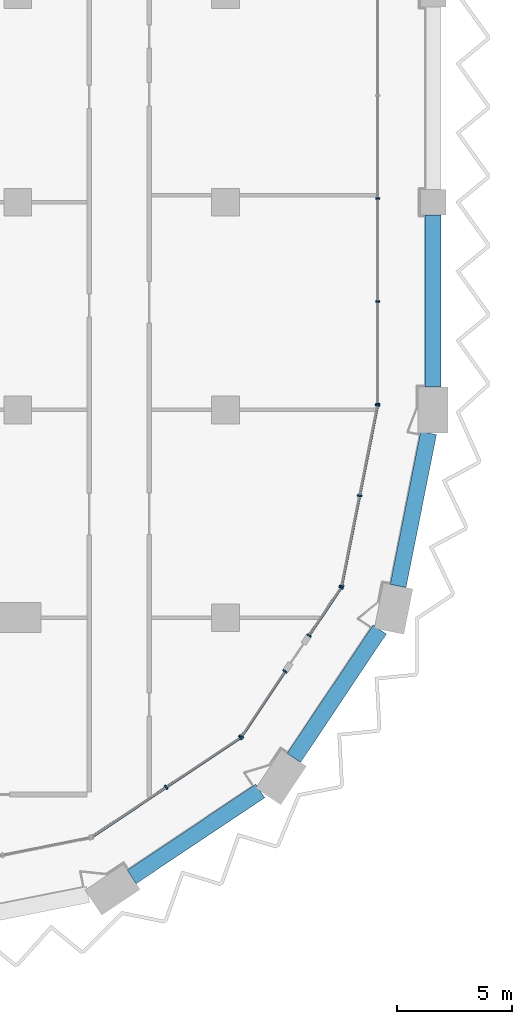
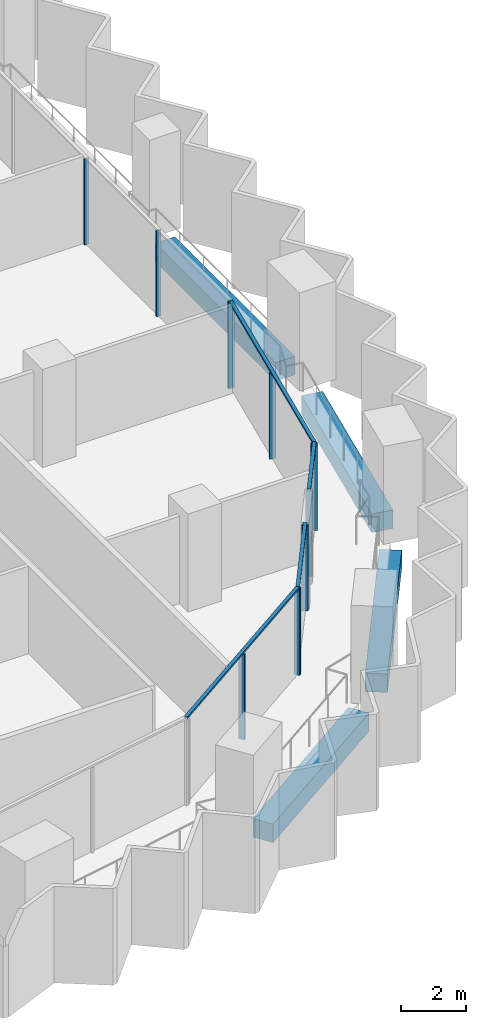
# One storey, part 3 of 23: 16 members, 4 beams, 5 elements without a shape of their own.
"""IFC4 building model written with IfcOpenShell, lengths in metres."""

from ifc_helpers import new_model, si_unit, direction, frame, origin, origin_2d, place, context, subcontext, project, spatial, rectangle, extrude, material, material_profile, profile_set, type_object, element, aggregate, save


model = new_model("IFC4")

# Units and contexts
model_context = context("Model", 3, precision=1e-05, world=origin(), true_north=direction((0.0, 1.0)))
body_context = subcontext(model_context, "Body", "Model", "MODEL_VIEW")
ifc_project = project(units=[si_unit("LENGTHUNIT", "METRE"), si_unit("AREAUNIT", "SQUARE_METRE"), si_unit("VOLUMEUNIT", "CUBIC_METRE"), si_unit("PLANEANGLEUNIT", "RADIAN"), si_unit("MASSUNIT", "GRAM", prefix="KILO")], contexts=[model_context])

# Site, building, storey
site_placement = place(None, origin())
site = spatial("IfcSite", under=ifc_project, at=site_placement, CompositionType="ELEMENT")
building_placement = place(site_placement, origin())
building = spatial("IfcBuilding", under=site, at=building_placement, Name="Hunhe Ridgeline Campus", CompositionType="ELEMENT")
storey_placement = place(building_placement, frame((0.0, 0.0, 152.300048828125)))
storey = spatial("IfcBuildingStorey", under=building, at=storey_placement, Name="L38", CompositionType="ELEMENT", Elevation=152.300048828125)

# Curtain wall, members
ifc_material_1 = material(Name="Aluminium 6063", Category="aluminium")
curtain_wall_type_1 = type_object("IfcCurtainWallType", Name="Curtain wall CW-1", PredefinedType="NOTDEFINED", material=ifc_material_1)
curtain_wall_1_placement = place(storey_placement, origin())
curtain_wall_1 = element("IfcCurtainWall", 1, at=curtain_wall_1_placement, inside=storey, type_object=curtain_wall_type_1, Name="Curtain wall 11", PredefinedType="NOTDEFINED")
ifc_material_profile_1 = material_profile(ifc_material_1, rectangle(XDim=0.159912109375, YDim=0.06005859375, at=origin_2d()))
ifc_profile_set_1 = profile_set([ifc_material_profile_1], Name="Aluminium 6063")
member_type_1 = type_object("IfcMemberType", Name="CW-1 aluminium mullion", PredefinedType="MULLION", material=ifc_profile_set_1)
member_1_placement = place(storey_placement, frame((42.59912109375, 27.266357421875, 0.0), z_axis=(0.0, 0.0, 1.0), x_axis=(-0.99999999999, 4.408911e-06, 0.0)))
member_1 = element("IfcMember", 2, at=member_1_placement, type_object=member_type_1, Name="CW-1 mullion 1", PredefinedType="MULLION", context=body_context, shape_type="SweptSolid", body=[
    extrude(rectangle(XDim=0.159912109375, YDim=0.06005859375, at=origin_2d()), origin(), (0.0, 0.0, 1.0), 3.239990234375),
])
member_2_placement = place(storey_placement, frame((42.59912109375, 31.697021484375, 0.0), z_axis=(0.0, 0.0, 1.0), x_axis=(-0.99999999999, 4.408911e-06, 0.0)))
member_2 = element("IfcMember", 3, at=member_2_placement, type_object=member_type_1, Name="CW-1 mullion 2", PredefinedType="MULLION", context=body_context, shape_type="SweptSolid", body=[
    extrude(rectangle(XDim=0.159912109375, YDim=0.06005859375, at=origin_2d()), origin(), (0.0, 0.0, 1.0), 3.239990234375),
])
member_3_placement = place(storey_placement, frame((42.59912109375, 36.15771484375, 0.0), z_axis=(0.0, 0.0, 1.0), x_axis=(-0.99999999999, 4.408911e-06, 0.0)))
member_3 = element("IfcMember", 4, at=member_3_placement, type_object=member_type_1, Name="CW-1 mullion 3", PredefinedType="MULLION", context=body_context, shape_type="SweptSolid", body=[
    extrude(rectangle(XDim=0.159912109375, YDim=0.06005859375, at=origin_2d()), origin(), (0.0, 0.0, 1.0), 3.239990234375),
])
aggregate(curtain_wall_1, [member_1, member_2, member_3])

curtain_wall_type_2 = type_object("IfcCurtainWallType", Name="Curtain wall CW-5", PredefinedType="NOTDEFINED", material=ifc_material_1)
curtain_wall_2_placement = place(storey_placement, origin())
curtain_wall_2 = element("IfcCurtainWall", 5, at=curtain_wall_2_placement, inside=storey, type_object=curtain_wall_type_2, Name="Curtain wall 07", PredefinedType="NOTDEFINED")
ifc_material_profile_2 = material_profile(ifc_material_1, rectangle(XDim=0.199951171875, YDim=0.070068359375, at=origin_2d()))
ifc_profile_set_2 = profile_set([ifc_material_profile_2], Name="Aluminium 6063")
member_type_2 = type_object("IfcMemberType", Name="CW-5 aluminium mullion", PredefinedType="MULLION", material=ifc_profile_set_2)
member_4_placement = place(storey_placement, frame((33.42626953125, 10.647705078125, 0.0), z_axis=(0.0, 0.0, 1.0), x_axis=(-0.555570274596, 0.831469584522, 0.0)))
member_4 = element("IfcMember", 6, at=member_4_placement, type_object=member_type_2, Name="CW-5 mullion 2", PredefinedType="MULLION", context=body_context, shape_type="SweptSolid", body=[
    extrude(rectangle(XDim=0.199951171875, YDim=0.070068359375, at=origin_2d()), origin(), (0.0, 0.0, 1.0), 3.22998046875),
])
member_5_placement = place(storey_placement, frame((36.649658203125, 12.8017578125, 0.0), z_axis=(0.0, 0.0, 1.0), x_axis=(-0.555570274596, 0.831469584522, 0.0)))
member_5 = element("IfcMember", 7, at=member_5_placement, type_object=member_type_2, Name="CW-5 mullion 3", PredefinedType="MULLION", context=body_context, shape_type="SweptSolid", body=[
    extrude(rectangle(XDim=0.199951171875, YDim=0.070068359375, at=origin_2d()), origin(), (0.0, 0.0, 1.0), 3.22998046875),
])

curtain_wall_3_placement = place(storey_placement, origin())
curtain_wall_3 = element("IfcCurtainWall", 8, at=curtain_wall_3_placement, inside=storey, type_object=curtain_wall_type_2, Name="Curtain wall 08", PredefinedType="NOTDEFINED")
member_6_placement = place(storey_placement, frame((36.6982421875, 12.850341796875, 0.0), z_axis=(0.0, 0.0, 1.0), x_axis=(-0.831469595944, 0.555570257501, 0.0)))
member_6 = element("IfcMember", 9, at=member_6_placement, type_object=member_type_2, Name="CW-5 mullion 1", PredefinedType="MULLION", context=body_context, shape_type="SweptSolid", body=[
    extrude(rectangle(XDim=0.199951171875, YDim=0.070068359375, at=origin_2d()), origin(), (0.0, 0.0, 1.0), 3.22998046875),
])
member_7_placement = place(storey_placement, frame((38.582763671875, 15.67041015625, 0.0), z_axis=(0.0, 0.0, 1.0), x_axis=(-0.831469595944, 0.555570257501, 0.0)))
member_7 = element("IfcMember", 10, at=member_7_placement, type_object=member_type_2, Name="CW-5 mullion 2", PredefinedType="MULLION", context=body_context, shape_type="SweptSolid", body=[
    extrude(rectangle(XDim=0.199951171875, YDim=0.070068359375, at=origin_2d()), origin(), (0.0, 0.0, 1.0), 3.22998046875),
])

curtain_wall_4_placement = place(storey_placement, origin())
curtain_wall_4 = element("IfcCurtainWall", 11, at=curtain_wall_4_placement, inside=storey, type_object=curtain_wall_type_2, Name="Curtain wall 09", PredefinedType="NOTDEFINED")
member_8_placement = place(storey_placement, frame((39.62158203125, 17.225341796875, 0.0), z_axis=(0.0, 0.0, 1.0), x_axis=(-0.831469510353, 0.555570385598, 0.0)))
member_8 = element("IfcMember", 12, at=member_8_placement, type_object=member_type_2, Name="CW-5 mullion 1", PredefinedType="MULLION", context=body_context, shape_type="SweptSolid", body=[
    extrude(rectangle(XDim=0.199951171875, YDim=0.070068359375, at=origin_2d()), origin(), (0.0, 0.0, 1.0), 3.22998046875),
])
member_9_placement = place(storey_placement, frame((41.006103515625, 19.29736328125, 0.0), z_axis=(0.0, 0.0, 1.0), x_axis=(-0.831469510353, 0.555570385598, 0.0)))
member_9 = element("IfcMember", 13, at=member_9_placement, type_object=member_type_2, Name="CW-5 mullion 2", PredefinedType="MULLION", context=body_context, shape_type="SweptSolid", body=[
    extrude(rectangle(XDim=0.199951171875, YDim=0.070068359375, at=origin_2d()), origin(), (0.0, 0.0, 1.0), 3.22998046875),
])

curtain_wall_5_placement = place(storey_placement, origin())
curtain_wall_5 = element("IfcCurtainWall", 14, at=curtain_wall_5_placement, inside=storey, type_object=curtain_wall_type_2, Name="Curtain wall 10", PredefinedType="NOTDEFINED")
member_10_placement = place(storey_placement, frame((41.032470703125, 19.36083984375, 0.0), z_axis=(0.0, 0.0, 1.0), x_axis=(-0.980785284939, 0.195090299215, 0.0)))
member_10 = element("IfcMember", 15, at=member_10_placement, type_object=member_type_2, Name="CW-5 mullion 1", PredefinedType="MULLION", context=body_context, shape_type="SweptSolid", body=[
    extrude(rectangle(XDim=0.199951171875, YDim=0.070068359375, at=origin_2d()), origin(), (0.0, 0.0, 1.0), 3.22998046875),
])
member_11_placement = place(storey_placement, frame((41.812255859375, 23.281494140625, 0.0), z_axis=(0.0, 0.0, 1.0), x_axis=(-0.980785284939, 0.195090299215, 0.0)))
member_11 = element("IfcMember", 16, at=member_11_placement, type_object=member_type_2, Name="CW-5 mullion 2", PredefinedType="MULLION", context=body_context, shape_type="SweptSolid", body=[
    extrude(rectangle(XDim=0.199951171875, YDim=0.070068359375, at=origin_2d()), origin(), (0.0, 0.0, 1.0), 3.22998046875),
])
member_12_placement = place(storey_placement, frame((42.59228515625, 27.2021484375, 0.0), z_axis=(0.0, 0.0, 1.0), x_axis=(-0.980785284939, 0.195090299215, 0.0)))
member_12 = element("IfcMember", 17, at=member_12_placement, type_object=member_type_2, Name="CW-5 mullion 3", PredefinedType="MULLION", context=body_context, shape_type="SweptSolid", body=[
    extrude(rectangle(XDim=0.199951171875, YDim=0.070068359375, at=origin_2d()), origin(), (0.0, 0.0, 1.0), 3.22998046875),
])

# Member
ifc_material_profile_3 = material_profile(ifc_material_1, rectangle(XDim=0.1201171875, YDim=0.070068359375, at=origin_2d()))
ifc_profile_set_3 = profile_set([ifc_material_profile_3], Name="Aluminium 6063")
member_type_3 = type_object("IfcMemberType", Name="CW-5 aluminium transom", PredefinedType="USERDEFINED", material=ifc_profile_set_3)
member_13_placement = place(storey_placement, frame((30.173583984375, 8.474365234375, 3.264892578125), z_axis=(0.831473763475, 0.5555640203, 0.0), x_axis=(-0.5555640203, 0.831473763475, 0.0)))
member_13 = element("IfcMember", 18, at=member_13_placement, type_object=member_type_3, Name="CW-5 transom 1", ObjectType="TRANSOM", PredefinedType="USERDEFINED", context=body_context, shape_type="SweptSolid", body=[
    extrude(rectangle(XDim=0.1201171875, YDim=0.070068359375, at=origin_2d()), origin(), (0.0, 0.0, 1.0), 7.823974609375),
])

aggregate(curtain_wall_2, [member_13, member_4, member_5])

member_14_placement = place(storey_placement, frame((36.678955078125, 12.821044921875, 3.264892578125), z_axis=(0.555546133463, 0.831485714606, 0.0), x_axis=(-0.831485714606, 0.555546133463, 0.0)))
member_14 = element("IfcMember", 19, at=member_14_placement, type_object=member_type_3, Name="CW-5 transom 1", ObjectType="TRANSOM", PredefinedType="USERDEFINED", context=body_context, shape_type="SweptSolid", body=[
    extrude(rectangle(XDim=0.1201171875, YDim=0.070068359375, at=origin_2d()), origin(), (0.0, 0.0, 1.0), 3.462158203125),
])

aggregate(curtain_wall_3, [member_14, member_6, member_7])

member_15_placement = place(storey_placement, frame((39.602294921875, 17.1962890625, 3.264892578125), z_axis=(0.555579547735, 0.831463388334, 0.0), x_axis=(-0.831463388334, 0.555579547735, 0.0)))
member_15 = element("IfcMember", 20, at=member_15_placement, type_object=member_type_3, Name="CW-5 transom 1", ObjectType="TRANSOM", PredefinedType="USERDEFINED", context=body_context, shape_type="SweptSolid", body=[
    extrude(rectangle(XDim=0.1201171875, YDim=0.070068359375, at=origin_2d()), origin(), (0.0, 0.0, 1.0), 2.56201171875),
])

aggregate(curtain_wall_4, [member_15, member_8, member_9])

member_16_placement = place(storey_placement, frame((41.025634765625, 19.326416015625, 3.264892578125), z_axis=(0.195097290093, 0.980783894341, 0.0), x_axis=(-0.980783894341, 0.195097290093, 0.0)))
member_16 = element("IfcMember", 21, at=member_16_placement, type_object=member_type_3, Name="CW-5 transom 1", ObjectType="TRANSOM", PredefinedType="USERDEFINED", context=body_context, shape_type="SweptSolid", body=[
    extrude(rectangle(XDim=0.1201171875, YDim=0.070068359375, at=origin_2d()), origin(), (0.0, 0.0, 1.0), 8.065185546875),
])

aggregate(curtain_wall_5, [member_16, member_10, member_11, member_12])

# Beams
ifc_material_2 = material(Name="Concrete C60", Category="concrete")
ifc_material_profile_4 = material_profile(ifc_material_2, rectangle(XDim=0.699951171875, YDim=0.699951171875, at=origin_2d()))
ifc_profile_set_4 = profile_set([ifc_material_profile_4], Name="Concrete C60")
beam_type = type_object("IfcBeamType", Name="RC spandrel beam 700x700 Concrete C60", PredefinedType="SPANDREL", material=ifc_profile_set_4)
for number, where, z_axis, x_axis, name in (
    (22, (31.94189453125, 6.768310546875, -0.60009765625), (0.831472141711, 0.555566447474, 0.0), (-0.555566447474, 0.831472141711, 0.0), "Spandrel beam B2-6 L38"),
    (23, (38.965576171875, 11.921630859375, -0.60009765625), (0.555566447474, 0.831472141711, 0.0), (-0.831472141711, 0.555566447474, 0.0), "Spandrel beam B2-7 L38"),
):
    element("IfcBeam", number, at=place(storey_placement, frame(where, z_axis=z_axis, x_axis=x_axis)), inside=storey, type_object=beam_type, Name=name, PredefinedType="SPANDREL", context=body_context, shape_type="SweptSolid", body=[
        extrude(rectangle(XDim=0.699951171875, YDim=0.699951171875, at=origin_2d()), origin(), (0.0, 0.0, 1.0), 6.69677734375),
    ])
beam_1_placement = place(storey_placement, frame((43.482421875, 19.370361328125, -0.60009765625), z_axis=(0.195074154586, 0.980788496166, 0.0), x_axis=(-0.980788496166, 0.195074154586, 0.0)))
element("IfcBeam", 24, at=beam_1_placement, inside=storey, type_object=beam_type, Name="Spandrel beam B2-8 L38", PredefinedType="SPANDREL", context=body_context, shape_type="SweptSolid", body=[
    extrude(rectangle(XDim=0.699951171875, YDim=0.699951171875, at=origin_2d()), origin(), (0.0, 0.0, 1.0), 6.759521484375),
])
beam_2_placement = place(storey_placement, frame((45.0, 28.0, -0.60009765625), z_axis=(0.0, 1.0, 0.0), x_axis=(-1.0, 0.0, 0.0)))
element("IfcBeam", 25, at=beam_2_placement, inside=storey, type_object=beam_type, Name="Spandrel beam B2-9 L38", PredefinedType="SPANDREL", context=body_context, shape_type="SweptSolid", body=[
    extrude(rectangle(XDim=0.699951171875, YDim=0.699951171875, at=origin_2d()), origin(), (0.0, 0.0, 1.0), 7.449951171875),
])

save(model, "model.ifc")
